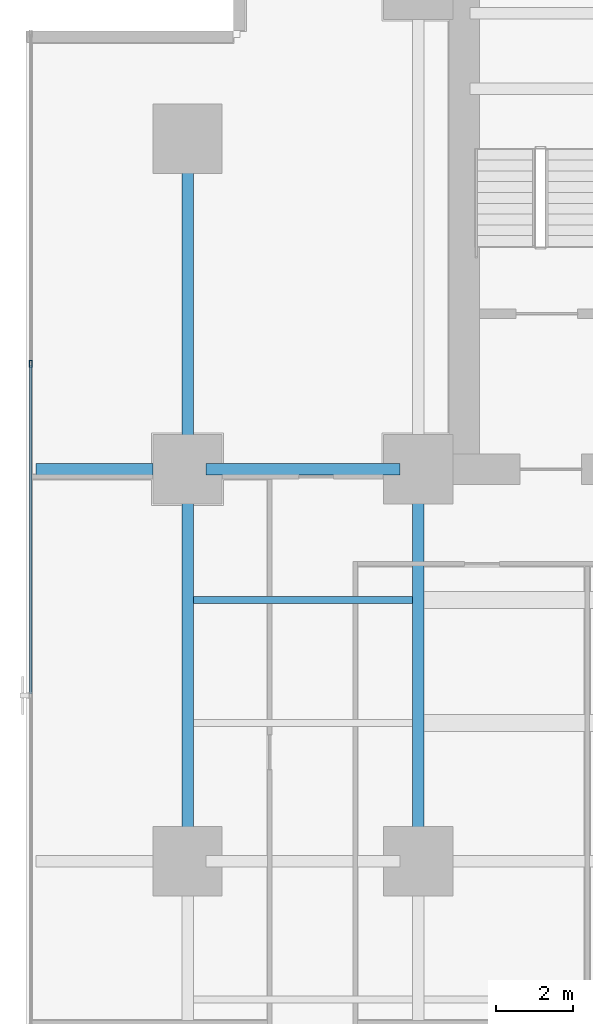
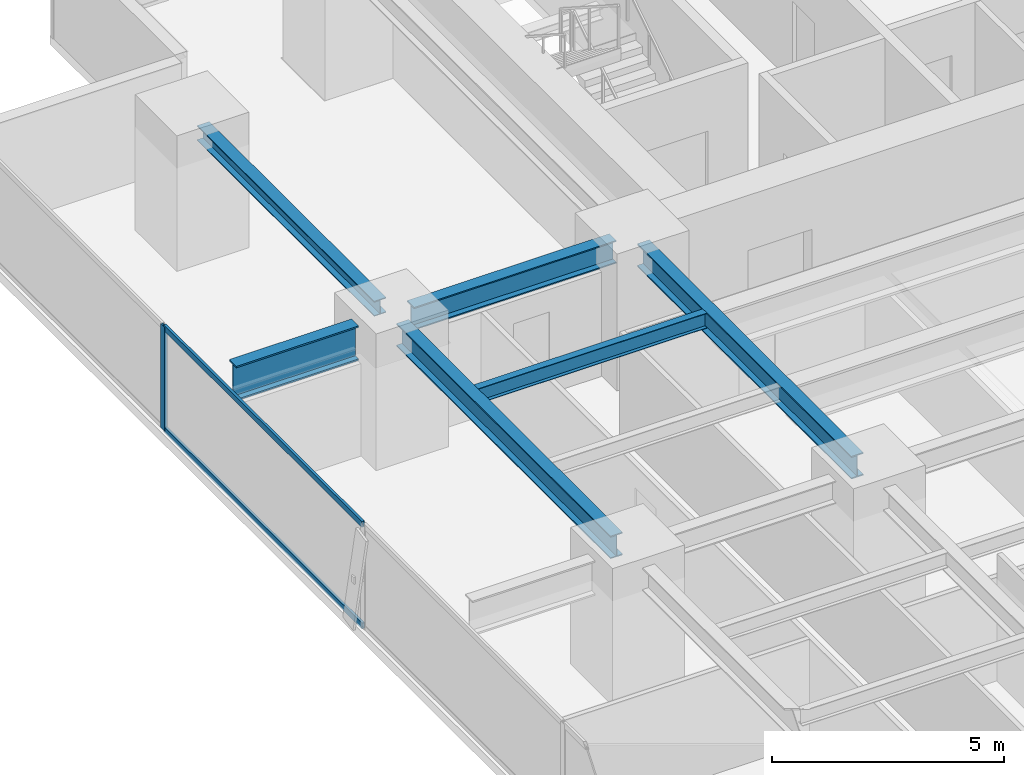
# One storey, part 16 of 33: 6 beams, 3 members, 1 element without a shape of its own.
"""IFC4 building model written with IfcOpenShell, lengths in metres."""

import ifcopenshell
import ifcopenshell.guid

model = None  # the IFC model being written
_history = None  # IfcOwnerHistory: only IFC2X3 demands one
_inside = {}  # id of a spatial element -> (the spatial element, [elements in it])
_under = {}  # id of a project, library or spatial element -> (it, [spatial elements below it])
_declared = {}  # id of a project -> (the project, [libraries it declares])
_typed = {}  # id of a type object -> (the type object, [elements of that type])
_made_of = {}  # id of a material, layer set ... -> (it, [elements and type objects made of it])


def new_model(schema):
    """Start an empty IFC model of exactly this schema.

    Asked for "IFC4X3", IfcOpenShell would pick the latest addendum, in which some entities
    have other attributes; the version numbers below select the first issue.
    IFC2X3 requires an IfcOwnerHistory on every rooted entity: one is made here for all.
    """
    global model, _history
    if schema == "IFC4X3":
        model = ifcopenshell.file(schema_version=(4, 3, 0, 0))
    else:
        model = ifcopenshell.file(schema=schema)
    _inside.clear()
    _under.clear()
    _declared.clear()
    _typed.clear()
    _made_of.clear()
    _history = None
    if model.schema == "IFC2X3":
        org = make("IfcOrganization", Name="unknown")
        user = make(
            "IfcPersonAndOrganization",
            ThePerson=make("IfcPerson", FamilyName="unknown"),
            TheOrganization=org,
        )
        app = make(
            "IfcApplication",
            ApplicationDeveloper=org,
            Version="unknown",
            ApplicationFullName="unknown",
            ApplicationIdentifier="unknown",
        )
        _history = make(
            "IfcOwnerHistory",
            OwningUser=user,
            OwningApplication=app,
            ChangeAction="ADDED",
            CreationDate=0,
        )
    return model


def make(cls, **values):
    """One entity of the class cls with the attributes given. An attribute that is None is left unset."""
    return model.create_entity(
        cls, **{name: value for name, value in values.items() if value is not None}
    )


def rooted(cls, **values):
    """An entity with a GlobalId (a new one), such as an element, a storey or a relation."""
    return make(cls, GlobalId=ifcopenshell.guid.new(), OwnerHistory=_history, **values)


def si_unit(unit_type, name, prefix=None):
    """IfcSIUnit, for example si_unit("LENGTHUNIT", "METRE", prefix="MILLI")."""
    return make("IfcSIUnit", UnitType=unit_type, Prefix=prefix, Name=name)


def assignment(units):
    """IfcUnitAssignment: the units of a project."""
    return None if units is None else make("IfcUnitAssignment", Units=units)


def point(xyz):
    """IfcCartesianPoint."""
    return None if xyz is None else make("IfcCartesianPoint", Coordinates=xyz)


def direction(xyz):
    """IfcDirection."""
    return None if xyz is None else make("IfcDirection", DirectionRatios=xyz)


def frame(location, z_axis=None, x_axis=None):
    """IfcAxis2Placement3D, a coordinate frame: its origin and axes. An axis left out is left unset."""
    return make(
        "IfcAxis2Placement3D",
        Location=point(location),
        Axis=direction(z_axis),
        RefDirection=direction(x_axis),
    )


def frame_2d(location, x_axis=None):
    """IfcAxis2Placement2D, a coordinate frame in the plane: its origin and x axis."""
    return make(
        "IfcAxis2Placement2D", Location=point(location), RefDirection=direction(x_axis)
    )


def origin():
    """The frame at (0, 0, 0) with its axes left unset."""
    return frame((0.0, 0.0, 0.0))


def origin_2d():
    """The frame at (0, 0) in the plane with its x axis left unset."""
    return frame_2d((0.0, 0.0))


def place(relative_to, where):
    """IfcLocalPlacement: puts the frame where relative to a parent placement (None: the world)."""
    return make(
        "IfcLocalPlacement", PlacementRelTo=relative_to, RelativePlacement=where
    )


def context(
    kind, dimensions, precision=None, world=None, true_north=None, identifier=None
):
    """IfcGeometricRepresentationContext, for example the 3D "Model" context."""
    return make(
        "IfcGeometricRepresentationContext",
        ContextIdentifier=identifier,
        ContextType=kind,
        CoordinateSpaceDimension=dimensions,
        Precision=precision,
        WorldCoordinateSystem=world,
        TrueNorth=true_north,
    )


def subcontext(parent, identifier, kind, view, scale=None):
    """IfcGeometricRepresentationSubContext, for example "Body" below "Model"."""
    return make(
        "IfcGeometricRepresentationSubContext",
        ContextIdentifier=identifier,
        ContextType=kind,
        ParentContext=parent,
        TargetScale=scale,
        TargetView=view,
    )


def project(units=None, contexts=None):
    """IfcProject with its units and contexts."""
    return rooted(
        "IfcProject",
        Name="project",
        RepresentationContexts=contexts,
        UnitsInContext=assignment(units),
    )


def spatial(cls, under=None, at=None, **own):
    """A site, building, storey or space (cls), placed at a placement, below another one or the project."""
    s = rooted(cls, ObjectPlacement=at, **own)
    if under is not None:
        _under.setdefault(under.id(), (under, []))[1].append(s)
    return s


def profile(cls, at=None, kind="AREA", **sizes):
    """A parametric profile (cls). Its sizes go by their IFC names, for example OverallWidth=200.0."""
    return make(cls, ProfileType=kind, Position=at, **sizes)


def hollow_rectangle(**sizes):
    """IfcRectangleHollowProfileDef."""
    return profile("IfcRectangleHollowProfileDef", **sizes)


def i_section(**sizes):
    """IfcIShapeProfileDef."""
    return profile("IfcIShapeProfileDef", **sizes)


def extrude(swept, where, along, depth):
    """IfcExtrudedAreaSolid: the profile swept, set in the frame where, extruded along a direction by depth."""
    return make(
        "IfcExtrudedAreaSolid",
        SweptArea=swept,
        Position=where,
        ExtrudedDirection=direction(along),
        Depth=depth,
    )


def shape(context_of_items, identifier, shape_type, items):
    """IfcShapeRepresentation: the items that make up one representation, for example the "Body"."""
    return make(
        "IfcShapeRepresentation",
        ContextOfItems=context_of_items,
        RepresentationIdentifier=identifier,
        RepresentationType=shape_type,
        Items=items,
    )


def source(mapping_origin, context_of_items, identifier, shape_type, items):
    """IfcRepresentationMap: a shape defined once, which mapped items show again and again."""
    return make(
        "IfcRepresentationMap",
        MappingOrigin=mapping_origin,
        MappedRepresentation=shape(context_of_items, identifier, shape_type, items),
    )


def transform(
    local_origin,
    x_axis=None,
    y_axis=None,
    z_axis=None,
    scale=None,
    scale2=None,
    scale3=None,
    uniform=True,
):
    """IfcCartesianTransformationOperator3D, or its non-uniform kind. x_axis, y_axis, z_axis: its Axis1, 2, 3."""
    if uniform:
        return make(
            "IfcCartesianTransformationOperator3D",
            Axis1=direction(x_axis),
            Axis2=direction(y_axis),
            LocalOrigin=point(local_origin),
            Scale=scale,
            Axis3=direction(z_axis),
        )
    return make(
        "IfcCartesianTransformationOperator3DnonUniform",
        Axis1=direction(x_axis),
        Axis2=direction(y_axis),
        LocalOrigin=point(local_origin),
        Scale=scale,
        Axis3=direction(z_axis),
        Scale2=scale2,
        Scale3=scale3,
    )


def mapped(mapping_source, mapping_target):
    """IfcMappedItem: shows the shape of a source again, moved by a transform."""
    return make(
        "IfcMappedItem", MappingSource=mapping_source, MappingTarget=mapping_target
    )


def material(Name=None, Category=None):
    """IfcMaterial."""
    return make("IfcMaterial", Name=Name, Category=Category)


def layer(
    of_material, thickness, ventilated=None, Name=None, Category=None, Priority=None
):
    """IfcMaterialLayer: one layer of a wall or slab, of a material (None: an air gap)."""
    return make(
        "IfcMaterialLayer",
        Material=of_material,
        LayerThickness=thickness,
        IsVentilated=ventilated,
        Name=Name,
        Category=Category,
        Priority=Priority,
    )


def layer_set(layers, Name=None):
    """IfcMaterialLayerSet."""
    return make("IfcMaterialLayerSet", MaterialLayers=layers, LayerSetName=Name)


def material_profile(
    of_material, cross_section, Name=None, Category=None, Priority=None
):
    """IfcMaterialProfile: a cross section and its material."""
    return make(
        "IfcMaterialProfile",
        Name=Name,
        Material=of_material,
        Profile=cross_section,
        Priority=Priority,
        Category=Category,
    )


def profile_set(profiles, Name=None, composite=None):
    """IfcMaterialProfileSet."""
    return make(
        "IfcMaterialProfileSet",
        Name=Name,
        MaterialProfiles=profiles,
        CompositeProfile=composite,
    )


def made_of(thing, what):
    """Note that an element or type object is made of a material, layer set ...; save() writes the relation."""
    if what is not None:
        _made_of.setdefault(what.id(), (what, []))[1].append(thing)
    return thing


def type_object(cls, material=None, **own):
    """A type object (cls), such as IfcWallType, which elements share."""
    return made_of(rooted(cls, **own), material)


def element(
    cls,
    number,
    at=None,
    inside=None,
    cuts=None,
    type_object=None,
    material=None,
    context=None,
    identifier="Body",
    shape_type=None,
    held_by="IfcProductDefinitionShape",
    body=None,
    shapes=None,
    **own,
):
    """One element of the class cls, such as IfcWall. Its Tag is "e" and its number.

    at: its placement. inside: the storey or other place that contains it. cuts: it is an
    opening in that element (IfcRelVoidsElement). A single representation is given by context,
    identifier, shape_type and body (its items); several are given by shapes. held_by: the class
    of the entity that holds the representations. save() writes the other relations.
    """
    e = rooted(cls, Tag="e%d" % number, ObjectPlacement=at, **own)
    if body is not None:
        shapes = [shape(context, identifier, shape_type, body)]
    if shapes is not None:
        e.Representation = make(held_by, Representations=shapes)
    if inside is not None:
        _inside.setdefault(inside.id(), (inside, []))[1].append(e)
    if cuts is not None:
        rooted(
            "IfcRelVoidsElement", RelatingBuildingElement=cuts, RelatedOpeningElement=e
        )
    if type_object is not None:
        _typed.setdefault(type_object.id(), (type_object, []))[1].append(e)
    return made_of(e, material)


def aggregate(whole, parts):
    """IfcRelAggregates: a whole, such as a stair, and the parts it consists of."""
    return rooted("IfcRelAggregates", RelatingObject=whole, RelatedObjects=parts)


def save(model, path):
    """Write the relations noted so far, then the file.

    IfcRelAggregates (storeys below a building ...), IfcRelContainedInSpatialStructure (elements
    in a storey), IfcRelDefinesByType, IfcRelAssociatesMaterial and IfcRelDeclares: one each for
    every whole, place, type object, material and project.
    """
    for whole, parts in _under.values():
        aggregate(whole, parts)
    for where, things in _inside.values():
        rooted(
            "IfcRelContainedInSpatialStructure",
            RelatedElements=things,
            RelatingStructure=where,
        )
    for kind, things in _typed.values():
        rooted("IfcRelDefinesByType", RelatedObjects=things, RelatingType=kind)
    for what, things in _made_of.values():
        rooted("IfcRelAssociatesMaterial", RelatedObjects=things, RelatingMaterial=what)
    for by, libraries in _declared.values():
        rooted("IfcRelDeclares", RelatingContext=by, RelatedDefinitions=libraries)
    model.write(path)


model = new_model("IFC4")

# Units and contexts
model_context = context("Model", 3, precision=1e-05, world=origin(), true_north=direction((0.0, 1.0)))
body_context = subcontext(model_context, "Body", "Model", "MODEL_VIEW")
ifc_project = project(units=[si_unit("LENGTHUNIT", "METRE"), si_unit("AREAUNIT", "SQUARE_METRE"), si_unit("VOLUMEUNIT", "CUBIC_METRE"), si_unit("PLANEANGLEUNIT", "RADIAN"), si_unit("MASSUNIT", "GRAM", prefix="KILO")], contexts=[model_context])

# Site, building, storey
site_placement = place(None, origin())
site = spatial("IfcSite", under=ifc_project, at=site_placement, CompositionType="ELEMENT")
building_placement = place(site_placement, origin())
building = spatial("IfcBuilding", under=site, at=building_placement, Name="Sumidabori Civic Tower", CompositionType="ELEMENT")
storey_placement = place(building_placement, frame((0.0, 0.0, 27.199951171875)))
storey = spatial("IfcBuildingStorey", under=building, at=storey_placement, Name="L06", CompositionType="ELEMENT", Elevation=27.199951171875)

# Beams
ifc_material_1 = material(Name="Steel SN490", Category="steel")
ifc_material_profile_1 = material_profile(ifc_material_1, i_section(OverallWidth=0.300048828125, OverallDepth=0.60009765625, WebThickness=0.015380859375, FlangeThickness=0.030029296875, at=origin_2d()), Name="HE 600 B")
ifc_profile_set_1 = profile_set([ifc_material_profile_1], Name="Steel SN490")
beam_type_1 = type_object("IfcBeamType", Name="BM-GIRD-600", PredefinedType="BEAM", material=ifc_profile_set_1)
shared_shape_1 = source(origin(), body_context, "Body", "SweptSolid", [
    extrude(i_section(OverallWidth=0.300048828125, OverallDepth=0.60009765625, WebThickness=0.015380859375, FlangeThickness=0.030029296875, at=origin_2d()), origin(), (0.0, 0.0, 1.0), 5.0400390625),
])
beam_1_placement = place(storey_placement, frame((-22.320068359375, 10.199951171875, 3.06005859375), z_axis=(1.0, 0.0, 0.0), x_axis=(0.0, 1.0, 0.0)))
element("IfcBeam", 1, at=beam_1_placement, inside=storey, type_object=beam_type_1, Name="Primary Girder L06 GX-19", PredefinedType="BEAM", context=body_context, shape_type="MappedRepresentation", body=[
    mapped(shared_shape_1, transform((0.0, 0.0, 0.0), x_axis=(1.0, 0.0, 0.0), y_axis=(0.0, 1.0, 0.0), z_axis=(0.0, 0.0, 1.0), scale=1.0)),
])
shared_shape_2 = source(origin(), body_context, "Body", "SweptSolid", [
    extrude(i_section(OverallWidth=0.300048828125, OverallDepth=0.60009765625, WebThickness=0.015380859375, FlangeThickness=0.030029296875, at=origin_2d()), origin(), (0.0, 0.0, 1.0), 9.239990234375),
])
for number, where, z_axis, x_axis, name in (
    (2, (-22.800048828125, 0.47998046875, 3.06005859375), (0.0, 1.0, 0.0), (-1.0, 0.0, 0.0), "Primary Girder L06 GY-23"),
    (3, (-16.800048828125, 0.47998046875, 3.06005859375), (0.0, 1.0, 0.0), (-1.0, 0.0, 0.0), "Primary Girder L06 GY-27"),
):
    element("IfcBeam", number, at=place(storey_placement, frame(where, z_axis=z_axis, x_axis=x_axis)), inside=storey, type_object=beam_type_1, Name=name, PredefinedType="BEAM", context=body_context, shape_type="MappedRepresentation", body=[
        mapped(shared_shape_2, transform((0.0, 0.0, 0.0), x_axis=(1.0, 0.0, 0.0), y_axis=(0.0, 1.0, 0.0), z_axis=(0.0, 0.0, 1.0), scale=1.0)),
    ])
ifc_material_profile_2 = material_profile(ifc_material_1, i_section(OverallWidth=0.300048828125, OverallDepth=0.39990234375, WebThickness=0.013427734375, FlangeThickness=0.02392578125, at=origin_2d()), Name="HE 400 B")
ifc_profile_set_2 = profile_set([ifc_material_profile_2], Name="Steel SN490")
beam_type_2 = type_object("IfcBeamType", Name="BM-GIRD-400", PredefinedType="BEAM", material=ifc_profile_set_2)
shared_shape_3 = source(origin(), body_context, "Body", "SweptSolid", [
    extrude(i_section(OverallWidth=0.300048828125, OverallDepth=0.39990234375, WebThickness=0.013427734375, FlangeThickness=0.02392578125, at=origin_2d()), origin(), (0.0, 0.0, 1.0), 7.64013671875),
])
beam_2_placement = place(storey_placement, frame((-22.800048828125, 10.679931640625, 3.16015625), z_axis=(0.0, 1.0, 0.0), x_axis=(-1.0, 0.0, 0.0)))
element("IfcBeam", 4, at=beam_2_placement, inside=storey, type_object=beam_type_2, Name="Primary Girder L06 GY-24", PredefinedType="BEAM", context=body_context, shape_type="MappedRepresentation", body=[
    mapped(shared_shape_3, transform((0.0, 0.0, 0.0), x_axis=(1.0, 0.0, 0.0), y_axis=(0.0, 1.0, 0.0), z_axis=(0.0, 0.0, 1.0), scale=1.0)),
])
ifc_material_profile_3 = material_profile(ifc_material_1, i_section(OverallWidth=0.302001953125, OverallDepth=0.909912109375, WebThickness=0.02099609375, FlangeThickness=0.0400390625, at=origin_2d()), Name="HE 900 M")
ifc_profile_set_3 = profile_set([ifc_material_profile_3], Name="Steel SN490")
beam_type_3 = type_object("IfcBeamType", Name="BM-Z1-EDGE", PredefinedType="SPANDREL", material=ifc_profile_set_3)
shared_shape_4 = source(origin(), body_context, "Body", "SweptSolid", [
    extrude(i_section(OverallWidth=0.302001953125, OverallDepth=0.909912109375, WebThickness=0.02099609375, FlangeThickness=0.0400390625, at=origin_2d()), origin(), (0.0, 0.0, 1.0), 3.050048828125),
])
beam_3_placement = place(storey_placement, frame((-26.75, 10.199951171875, 2.905029296875), z_axis=(1.0, 0.0, 0.0), x_axis=(0.0, 1.0, 0.0)))
element("IfcBeam", 5, at=beam_3_placement, inside=storey, type_object=beam_type_3, Name="Perimeter Overhang Beam L06 W-48", PredefinedType="SPANDREL", context=body_context, shape_type="MappedRepresentation", body=[
    mapped(shared_shape_4, transform((0.0, 0.0, 0.0), x_axis=(1.0, 0.0, 0.0), y_axis=(0.0, 1.0, 0.0), z_axis=(0.0, 0.0, 1.0), scale=1.0)),
])
ifc_material_profile_4 = material_profile(ifc_material_1, i_section(OverallWidth=0.179931640625, OverallDepth=0.39990234375, WebThickness=0.008544921875, FlangeThickness=0.013427734375, at=origin_2d()), Name="IPE 400")
ifc_profile_set_4 = profile_set([ifc_material_profile_4], Name="Steel SN490")
beam_type_4 = type_object("IfcBeamType", Name="BM-JST-400", PredefinedType="JOIST", material=ifc_profile_set_4)
shared_shape_5 = source(origin(), body_context, "Body", "SweptSolid", [
    extrude(i_section(OverallWidth=0.179931640625, OverallDepth=0.39990234375, WebThickness=0.008544921875, FlangeThickness=0.013427734375, at=origin_2d()), origin(), (0.0, 0.0, 1.0), 5.699951171875),
])
beam_4_placement = place(storey_placement, frame((-22.64990234375, 6.800048828125, 3.16015625), z_axis=(1.0, 0.0, 0.0), x_axis=(0.0, 1.0, 0.0)))
element("IfcBeam", 6, at=beam_4_placement, inside=storey, type_object=beam_type_4, Name="Outer Bay Floor Joist L06 JSTO-55", PredefinedType="JOIST", context=body_context, shape_type="MappedRepresentation", body=[
    mapped(shared_shape_5, transform((0.0, 0.0, 0.0), x_axis=(1.0, 0.0, 0.0), y_axis=(0.0, 1.0, 0.0), z_axis=(0.0, 0.0, 1.0), scale=1.0)),
])

# Curtain wall, members
ifc_material_2 = material(Name="Anodised Bronze Aluminium AW-6063-T6", Category="aluminium")
ifc_layer = layer(ifc_material_2, 0.179931640625, Name="Anodised Bronze Aluminium AW-6063-T6")
ifc_layer_set = layer_set([ifc_layer], Name="Anodised Bronze Aluminium AW-6063-T6")
curtain_wall_type = type_object("IfcCurtainWallType", Name="CW-SYS-2", PredefinedType="NOTDEFINED", material=ifc_layer_set)
curtain_wall_placement = place(storey_placement, origin())
curtain_wall = element("IfcCurtainWall", 7, at=curtain_wall_placement, inside=storey, type_object=curtain_wall_type, Name="Curtain Wall CW:L06:R10", PredefinedType="NOTDEFINED")
ifc_material_profile_5 = material_profile(ifc_material_2, hollow_rectangle(XDim=0.070068359375, YDim=0.179931640625, WallThickness=0.006103515625, at=origin_2d()), Name="ALU MULLION 180x70")
ifc_profile_set_5 = profile_set([ifc_material_profile_5], Name="Anodised Bronze Aluminium AW-6063-T6")
member_type_1 = type_object("IfcMemberType", Name="CW-MUL-180", PredefinedType="MULLION", material=ifc_profile_set_5)
shared_shape_6 = source(origin(), body_context, "Body", "SweptSolid", [
    extrude(hollow_rectangle(XDim=0.070068359375, YDim=0.179931640625, WallThickness=0.006103515625, at=origin_2d()), origin(), (0.0, 0.0, 1.0), 2.739990234375),
])
member_1_placement = place(storey_placement, frame((-26.8798828125, 12.94189453125, 0.0), z_axis=(0.0, 0.0, 1.0), x_axis=(1.0, 0.0, 0.0)))
member_1 = element("IfcMember", 8, at=member_1_placement, type_object=member_type_1, Name="CW-2 mullion 2", PredefinedType="MULLION", context=body_context, shape_type="MappedRepresentation", body=[
    mapped(shared_shape_6, transform((0.0, 0.0, 0.0), x_axis=(1.0, 0.0, 0.0), y_axis=(0.0, 1.0, 0.0), z_axis=(0.0, 0.0, 1.0), scale=1.0)),
])
ifc_material_profile_6 = material_profile(ifc_material_2, hollow_rectangle(XDim=0.06494140625, YDim=0.14990234375, WallThickness=0.0048828125, at=origin_2d()), Name="ALU TRANSOM 150x65")
ifc_profile_set_6 = profile_set([ifc_material_profile_6], Name="Anodised Bronze Aluminium AW-6063-T6")
member_type_2 = type_object("IfcMemberType", Name="CW-TRN-150", PredefinedType="USERDEFINED", material=ifc_profile_set_6)
shared_shape_7 = source(origin(), body_context, "Body", "SweptSolid", [
    extrude(hollow_rectangle(XDim=0.06494140625, YDim=0.14990234375, WallThickness=0.0048828125, at=origin_2d()), origin(), (0.0, 0.0, 1.0), 8.557861328125),
])
member_2_placement = place(storey_placement, frame((-26.8798828125, 12.906982421875, 0.032470703125), z_axis=(0.0, -1.0, 0.0), x_axis=(1.0, 0.0, 0.0)))
member_2 = element("IfcMember", 9, at=member_2_placement, type_object=member_type_2, Name="CW-2 transom 2.1", ObjectType="TRANSOM", PredefinedType="USERDEFINED", context=body_context, shape_type="MappedRepresentation", body=[
    mapped(shared_shape_7, transform((0.0, 0.0, 0.0), x_axis=(1.0, 0.0, 0.0), y_axis=(0.0, 1.0, 0.0), z_axis=(0.0, 0.0, 1.0), scale=1.0)),
])
member_3_placement = place(storey_placement, frame((-26.8798828125, 12.906982421875, 2.70751953125), z_axis=(0.0, -1.0, 0.0), x_axis=(1.0, 0.0, 0.0)))
member_3 = element("IfcMember", 10, at=member_3_placement, type_object=member_type_2, Name="CW-2 transom 2.2", ObjectType="TRANSOM", PredefinedType="USERDEFINED", context=body_context, shape_type="MappedRepresentation", body=[
    mapped(shared_shape_7, transform((0.0, 0.0, 0.0), x_axis=(1.0, 0.0, 0.0), y_axis=(0.0, 1.0, 0.0), z_axis=(0.0, 0.0, 1.0), scale=1.0)),
])
aggregate(curtain_wall, [member_1, member_2, member_3])

save(model, "model.ifc")
